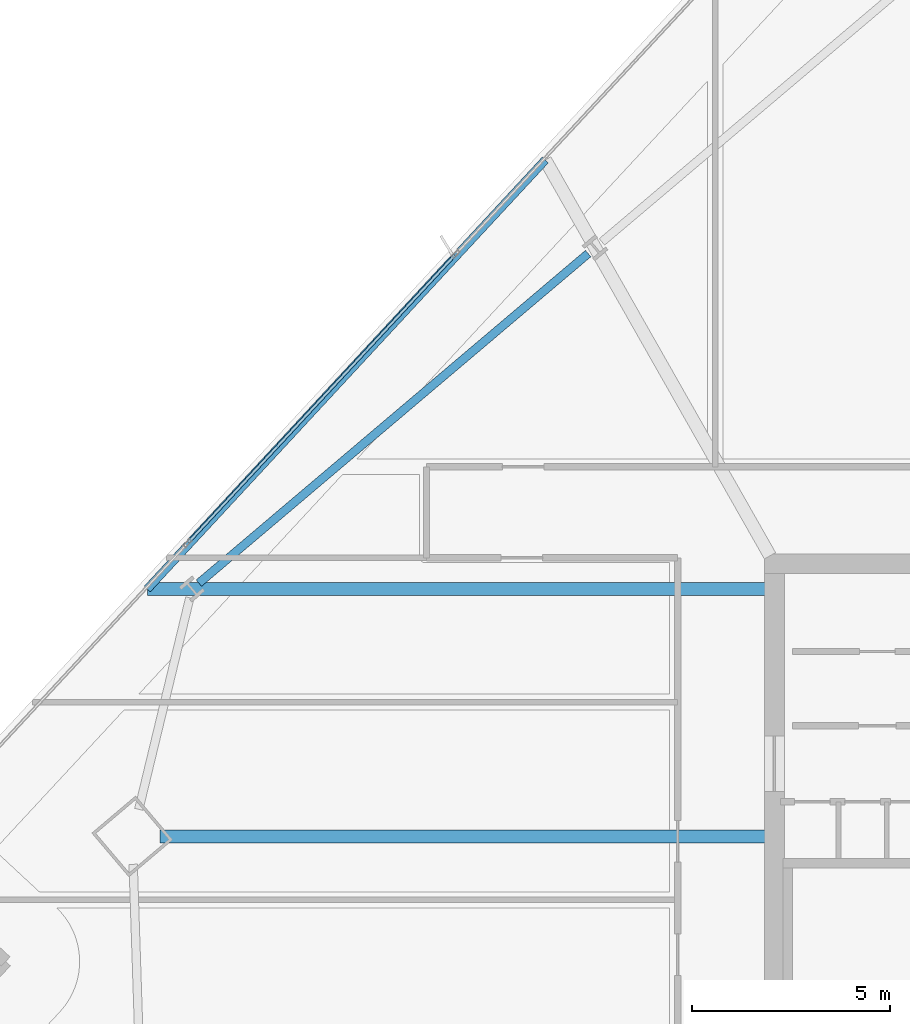
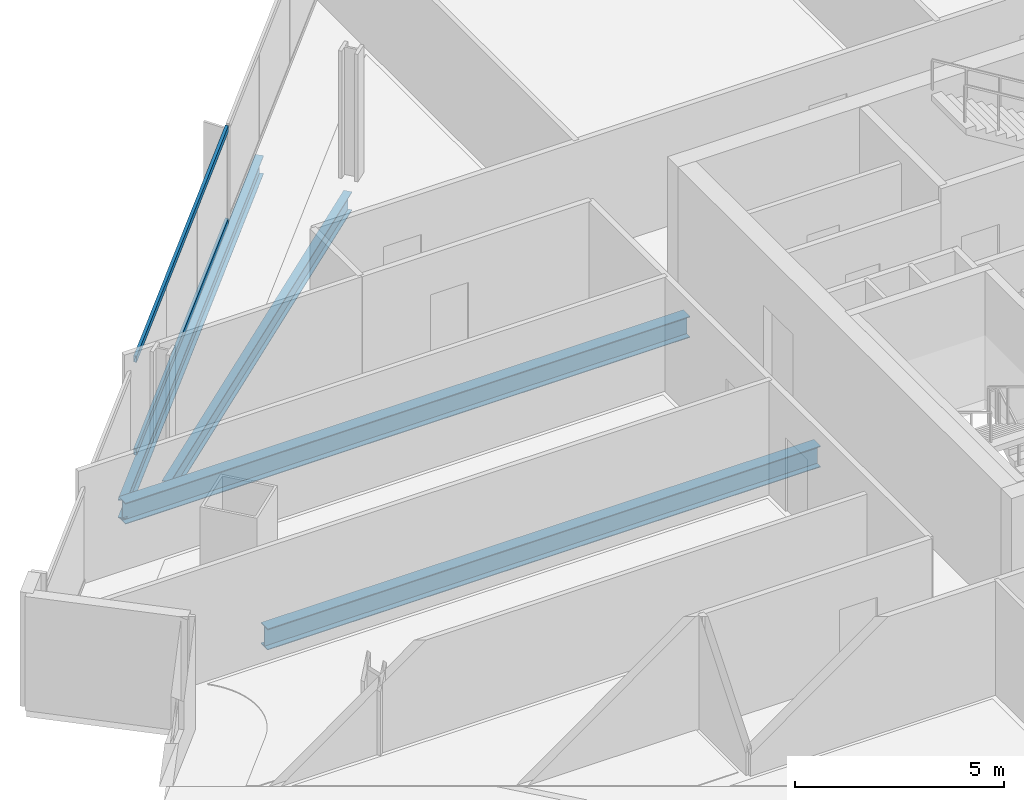
# One storey, part 14 of 32: 4 beams, 2 members, 1 element without a shape of its own.
"""IFC4 building model written with IfcOpenShell, lengths in metres."""

from ifc_helpers import new_model, si_unit, direction, frame, origin, origin_2d, place, context, subcontext, project, spatial, hollow_rectangle, i_section, extrude, material, material_profile, profile_set, type_object, element, aggregate, save


model = new_model("IFC4")

# Units and contexts
model_context = context("Model", 3, precision=1e-05, world=origin(), true_north=direction((0.0, 1.0)))
body_context = subcontext(model_context, "Body", "Model", "MODEL_VIEW")
ifc_project = project(units=[si_unit("LENGTHUNIT", "METRE"), si_unit("AREAUNIT", "SQUARE_METRE"), si_unit("VOLUMEUNIT", "CUBIC_METRE"), si_unit("PLANEANGLEUNIT", "RADIAN"), si_unit("MASSUNIT", "GRAM", prefix="KILO")], contexts=[model_context])

# Site, building, storey
site_placement = place(None, origin())
site = spatial("IfcSite", under=ifc_project, at=site_placement, CompositionType="ELEMENT")
building_placement = place(site_placement, origin())
building = spatial("IfcBuilding", under=site, at=building_placement, Name="Haldenkirk Collegiate Tower", CompositionType="ELEMENT")
storey_placement = place(building_placement, frame((0.0, 0.0, 185.699951171875)))
storey = spatial("IfcBuildingStorey", under=building, at=storey_placement, Name="L46", CompositionType="ELEMENT", Elevation=185.699951171875)

# Beams
ifc_material_1 = material(Name="Steel ASTM A992 Grade 50", Category="steel")
ifc_material_profile_1 = material_profile(ifc_material_1, i_section(OverallWidth=0.324951171875, OverallDepth=0.615966796875, WebThickness=0.013916015625, FlangeThickness=0.021484375, at=origin_2d()), Name="W24X117")
ifc_profile_set_1 = profile_set([ifc_material_profile_1], Name="Steel ASTM A992 Grade 50")
beam_type_1 = type_object("IfcBeamType", Name="BM-GIRDER-W24X117", PredefinedType="BEAM", material=ifc_profile_set_1)
beam_1_placement = place(storey_placement, frame((11.466064453125, 27.103759765625, -0.597900390625), z_axis=(1.0, 0.0, 0.0), x_axis=(0.0, 1.0, 0.0)))
element("IfcBeam", 1, at=beam_1_placement, inside=storey, type_object=beam_type_1, Name="L46 primary floor girder 04", PredefinedType="BEAM", context=body_context, shape_type="SweptSolid", body=[
    extrude(i_section(OverallWidth=0.324951171875, OverallDepth=0.615966796875, WebThickness=0.013916015625, FlangeThickness=0.021484375, at=origin_2d()), origin(), (0.0, 0.0, 1.0), 15.303955078125),
])
beam_2_placement = place(storey_placement, frame((11.1416015625, 33.360107421875, -0.597900390625), z_axis=(1.0, 0.0, 0.0), x_axis=(0.0, 1.0, 0.0)))
element("IfcBeam", 2, at=beam_2_placement, inside=storey, type_object=beam_type_1, Name="L46 primary floor girder 13", PredefinedType="BEAM", context=body_context, shape_type="SweptSolid", body=[
    extrude(i_section(OverallWidth=0.324951171875, OverallDepth=0.615966796875, WebThickness=0.013916015625, FlangeThickness=0.021484375, at=origin_2d()), origin(), (0.0, 0.0, 1.0), 15.62841796875),
])
ifc_material_profile_2 = material_profile(ifc_material_1, i_section(OverallWidth=0.2119140625, OverallDepth=0.5439453125, WebThickness=0.01318359375, FlangeThickness=0.021240234375, at=origin_2d()), Name="W21X83")
ifc_profile_set_2 = profile_set([ifc_material_profile_2], Name="Steel ASTM A992 Grade 50")
beam_type_2 = type_object("IfcBeamType", Name="BM-SPANDREL-W21X83", PredefinedType="SPANDREL", material=ifc_profile_set_2)
beam_3_placement = place(storey_placement, frame((22.288818359375, 41.841796875, -0.56201171875), z_axis=(-0.76322543275, -0.64613229203, 0.0), x_axis=(0.64613229203, -0.76322543275, 0.0)))
element("IfcBeam", 3, at=beam_3_placement, inside=storey, type_object=beam_type_2, Name="L46 perimeter spandrel beam 11", PredefinedType="SPANDREL", context=body_context, shape_type="SweptSolid", body=[
    extrude(i_section(OverallWidth=0.2119140625, OverallDepth=0.5439453125, WebThickness=0.01318359375, FlangeThickness=0.021240234375, at=origin_2d()), origin(), (0.0, 0.0, 1.0), 12.89794921875),
])
beam_4_placement = place(storey_placement, frame((21.204345703125, 44.207763671875, -0.56201171875), z_axis=(-0.680085209312, -0.733133076647, 0.0), x_axis=(0.733133076647, -0.680085209312, 0.0)))
element("IfcBeam", 4, at=beam_4_placement, inside=storey, type_object=beam_type_2, Name="L46 outer facade edge beam 3", PredefinedType="SPANDREL", context=body_context, shape_type="SweptSolid", body=[
    extrude(i_section(OverallWidth=0.2119140625, OverallDepth=0.5439453125, WebThickness=0.01318359375, FlangeThickness=0.021240234375, at=origin_2d()), origin(), (0.0, 0.0, 1.0), 14.79638671875),
])

# Curtain wall, members
ifc_material_2 = material(Name="Anodised architectural bronze aluminium", Category="aluminium")
curtain_wall_type = type_object("IfcCurtainWallType", Name="CW-SYS1-CONVEX-LOW", PredefinedType="USERDEFINED", material=ifc_material_2)
curtain_wall_placement = place(storey_placement, origin())
curtain_wall = element("IfcCurtainWall", 5, at=curtain_wall_placement, inside=storey, type_object=curtain_wall_type, Name="L46 Lower tower convex bronze-framed unitised curtain wall", ObjectType="UNITISED CURTAIN WALL", PredefinedType="USERDEFINED")
ifc_material_profile_3 = material_profile(ifc_material_2, hollow_rectangle(XDim=0.080078125, YDim=0.179931640625, WallThickness=0.0048828125, at=origin_2d()), Name="CW-TRN-1A")
ifc_profile_set_3 = profile_set([ifc_material_profile_3], Name="Anodised architectural bronze aluminium")
member_type = type_object("IfcMemberType", Name="CW-TRN-1A", PredefinedType="USERDEFINED", material=ifc_profile_set_3)
member_1_placement = place(storey_placement, frame((12.183349609375, 34.541748046875, 0.0400390625), z_axis=(0.680072458039, 0.733144905061, 0.0), x_axis=(-0.733144905061, 0.680072458039, 0.0)))
member_1 = element("IfcMember", 6, at=member_1_placement, type_object=member_type, Name="CW-1A transom 2.1", ObjectType="TRANSOM", PredefinedType="USERDEFINED", context=body_context, shape_type="SweptSolid", body=[
    extrude(hollow_rectangle(XDim=0.080078125, YDim=0.179931640625, WallThickness=0.0048828125, at=origin_2d()), origin(), (0.0, 0.0, 1.0), 9.89501953125),
])
member_2_placement = place(storey_placement, frame((12.183349609375, 34.541748046875, 2.7509765625), z_axis=(0.680072458039, 0.733144905061, 0.0), x_axis=(-0.733144905061, 0.680072458039, 0.0)))
member_2 = element("IfcMember", 7, at=member_2_placement, type_object=member_type, Name="CW-1A transom 2.2", ObjectType="TRANSOM", PredefinedType="USERDEFINED", context=body_context, shape_type="SweptSolid", body=[
    extrude(hollow_rectangle(XDim=0.080078125, YDim=0.179931640625, WallThickness=0.0048828125, at=origin_2d()), origin(), (0.0, 0.0, 1.0), 9.89501953125),
])
aggregate(curtain_wall, [member_1, member_2])

save(model, "model.ifc")
